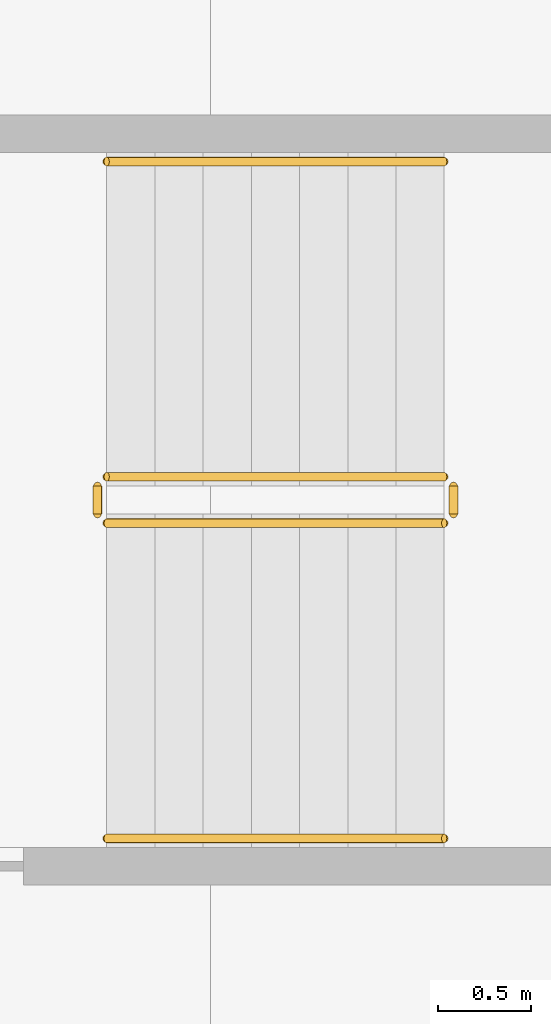
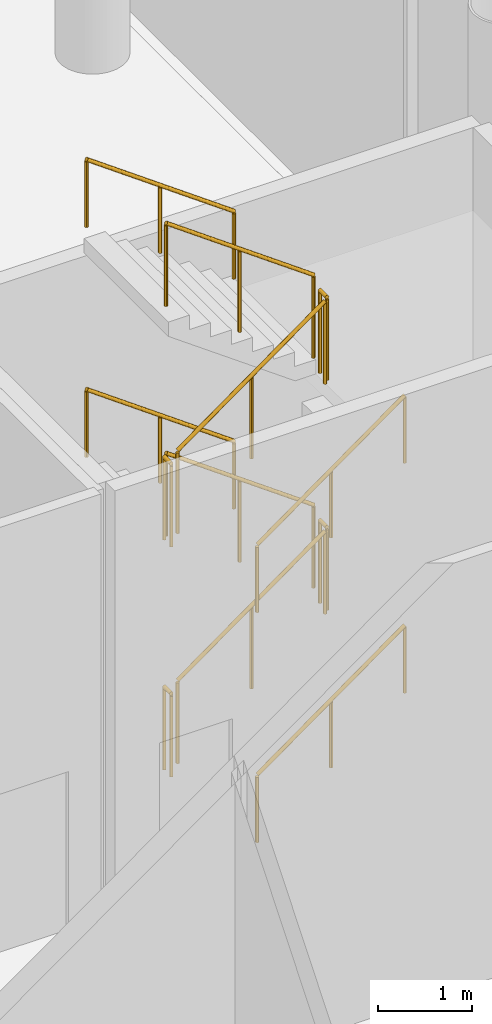
# One storey, part 73 of 75: 12 railings.
"""IFC4 building model written with IfcOpenShell, lengths in metres."""

from ifc_helpers import new_model, si_unit, direction, frame, origin, origin_2d, place, context, subcontext, project, spatial, circle, extrude, material, type_object, element, save


model = new_model("IFC4")

# Units and contexts
model_context = context("Model", 3, precision=1e-05, world=origin(), true_north=direction((0.0, 1.0)))
body_context = subcontext(model_context, "Body", "Model", "MODEL_VIEW")
ifc_project = project(units=[si_unit("LENGTHUNIT", "METRE"), si_unit("AREAUNIT", "SQUARE_METRE"), si_unit("VOLUMEUNIT", "CUBIC_METRE"), si_unit("PLANEANGLEUNIT", "RADIAN"), si_unit("MASSUNIT", "GRAM", prefix="KILO")], contexts=[model_context])

# Site, building, storey
site_placement = place(None, origin())
site = spatial("IfcSite", under=ifc_project, at=site_placement, CompositionType="ELEMENT")
building_placement = place(site_placement, origin())
building = spatial("IfcBuilding", under=site, at=building_placement, Name="Ipe Terrace Towers", CompositionType="ELEMENT")
storey_placement = place(building_placement, origin())
storey = spatial("IfcBuildingStorey", under=building, at=storey_placement, Name="L00", CompositionType="ELEMENT", Elevation=0.0)

# Railings
ifc_material_1 = material(Name="Steel S355", Category="steel")
railing_type_1 = type_object("IfcRailingType", Name="Stair guard 1100", PredefinedType="GUARDRAIL", material=ifc_material_1)
railing_1_placement = place(storey_placement, frame((58.68994140625, 3.35009765625, 0.1875)))
element("IfcRailing", 1, at=railing_1_placement, inside=storey, type_object=railing_type_1, Name="L00 PS8 stair guard 1", PredefinedType="GUARDRAIL", context=body_context, shape_type="SweptSolid", body=[
    extrude(circle(Radius=0.02392578125, at=origin_2d()), frame((0.0, 0.0, 1.076171875), z_axis=(0.811100754333, 0.0, 0.584906459462), x_axis=(0.0, 1.0, 0.0)), (0.0, 0.0, 1.0), 2.243896484375),
    extrude(circle(Radius=0.02099609375, at=origin_2d()), origin(), (0.0, 0.0, 1.0), 1.052001953125),
    extrude(circle(Radius=0.02099609375, at=origin_2d()), frame((0.91015625, 0.0, 0.65625)), (0.0, 0.0, 1.0), 1.052001953125),
    extrude(circle(Radius=0.02099609375, at=origin_2d()), frame((1.820068359375, 0.0, 1.3125)), (0.0, 0.0, 1.0), 1.052001953125),
])
railing_2_placement = place(storey_placement, frame((60.56005859375, 3.39990234375, 1.5)))
element("IfcRailing", 2, at=railing_2_placement, inside=storey, type_object=railing_type_1, Name="L00 PS8 stair guard 2", PredefinedType="GUARDRAIL", context=body_context, shape_type="SweptSolid", body=[
    extrude(circle(Radius=0.02392578125, at=origin_2d()), frame((0.0, 0.0, 1.076171875), z_axis=(0.0, 1.0, 0.0), x_axis=(-1.0, 0.0, 0.0)), (0.0, 0.0, 1.0), 0.150146484375),
    extrude(circle(Radius=0.02099609375, at=origin_2d()), origin(), (0.0, 0.0, 1.0), 1.052001953125),
    extrude(circle(Radius=0.02099609375, at=origin_2d()), frame((0.0, 0.150146484375, 0.0)), (0.0, 0.0, 1.0), 1.052001953125),
])
railing_3_placement = place(storey_placement, frame((60.510009765625, 3.60009765625, 1.6875)))
element("IfcRailing", 3, at=railing_3_placement, inside=storey, type_object=railing_type_1, Name="L00 PS8 stair guard 3", PredefinedType="GUARDRAIL", context=body_context, shape_type="SweptSolid", body=[
    extrude(circle(Radius=0.02392578125, at=origin_2d()), frame((0.0, 0.0, 1.076171875), z_axis=(-0.811100754333, 0.0, 0.584906459462), x_axis=(0.0, -1.0, 0.0)), (0.0, 0.0, 1.0), 2.243896484375),
    extrude(circle(Radius=0.02099609375, at=origin_2d()), origin(), (0.0, 0.0, 1.0), 1.052001953125),
    extrude(circle(Radius=0.02099609375, at=origin_2d()), frame((-0.91015625, 0.0, 0.65625)), (0.0, 0.0, 1.0), 1.052001953125),
    extrude(circle(Radius=0.02099609375, at=origin_2d()), frame((-1.820068359375, 0.0, 1.3125)), (0.0, 0.0, 1.0), 1.052001953125),
])
railing_4_placement = place(storey_placement, frame((58.639892578125, 3.39990234375, 3.0)))
element("IfcRailing", 4, at=railing_4_placement, inside=storey, type_object=railing_type_1, Name="L00 PS8 stair guard 4", PredefinedType="GUARDRAIL", context=body_context, shape_type="SweptSolid", body=[
    extrude(circle(Radius=0.02392578125, at=origin_2d()), frame((0.0, 0.0, 1.076171875), z_axis=(0.0, 1.0, 0.0), x_axis=(-1.0, 0.0, 0.0)), (0.0, 0.0, 1.0), 0.150146484375),
    extrude(circle(Radius=0.02099609375, at=origin_2d()), origin(), (0.0, 0.0, 1.0), 1.052001953125),
    extrude(circle(Radius=0.02099609375, at=origin_2d()), frame((0.0, 0.150146484375, 0.0)), (0.0, 0.0, 1.0), 1.052001953125),
])
railing_5_placement = place(storey_placement, frame((58.68994140625, 3.35009765625, 3.1875)))
element("IfcRailing", 5, at=railing_5_placement, inside=storey, type_object=railing_type_1, Name="L00 PS8 stair guard 5", PredefinedType="GUARDRAIL", context=body_context, shape_type="SweptSolid", body=[
    extrude(circle(Radius=0.02392578125, at=origin_2d()), frame((0.0, 0.0, 1.076171875), z_axis=(0.811100754333, 0.0, 0.584906459462), x_axis=(0.0, 1.0, 0.0)), (0.0, 0.0, 1.0), 2.243896484375),
    extrude(circle(Radius=0.02099609375, at=origin_2d()), origin(), (0.0, 0.0, 1.0), 1.052001953125),
    extrude(circle(Radius=0.02099609375, at=origin_2d()), frame((0.91015625, 0.0, 0.65625)), (0.0, 0.0, 1.0), 1.052001953125),
    extrude(circle(Radius=0.02099609375, at=origin_2d()), frame((1.820068359375, 0.0, 1.3125)), (0.0, 0.0, 1.0), 1.052001953125),
])
railing_6_placement = place(storey_placement, frame((60.56005859375, 3.39990234375, 4.5)))
element("IfcRailing", 6, at=railing_6_placement, inside=storey, type_object=railing_type_1, Name="L00 PS8 stair guard 6", PredefinedType="GUARDRAIL", context=body_context, shape_type="SweptSolid", body=[
    extrude(circle(Radius=0.02392578125, at=origin_2d()), frame((0.0, 0.0, 1.076171875), z_axis=(0.0, 1.0, 0.0), x_axis=(-1.0, 0.0, 0.0)), (0.0, 0.0, 1.0), 0.150146484375),
    extrude(circle(Radius=0.02099609375, at=origin_2d()), origin(), (0.0, 0.0, 1.0), 1.052001953125),
    extrude(circle(Radius=0.02099609375, at=origin_2d()), frame((0.0, 0.150146484375, 0.0)), (0.0, 0.0, 1.0), 1.052001953125),
])
railing_7_placement = place(storey_placement, frame((60.510009765625, 3.60009765625, 4.6875)))
element("IfcRailing", 7, at=railing_7_placement, inside=storey, type_object=railing_type_1, Name="L00 PS8 stair guard 7", PredefinedType="GUARDRAIL", context=body_context, shape_type="SweptSolid", body=[
    extrude(circle(Radius=0.02392578125, at=origin_2d()), frame((0.0, 0.0, 1.076171875), z_axis=(-0.811100754333, 0.0, 0.584906459462), x_axis=(0.0, -1.0, 0.0)), (0.0, 0.0, 1.0), 2.243896484375),
    extrude(circle(Radius=0.02099609375, at=origin_2d()), origin(), (0.0, 0.0, 1.0), 1.052001953125),
    extrude(circle(Radius=0.02099609375, at=origin_2d()), frame((-0.91015625, 0.0, 0.65625)), (0.0, 0.0, 1.0), 1.052001953125),
    extrude(circle(Radius=0.02099609375, at=origin_2d()), frame((-1.820068359375, 0.0, 1.3125)), (0.0, 0.0, 1.0), 1.052001953125),
])
railing_8_placement = place(storey_placement, frame((58.639892578125, 3.39990234375, 0.0)))
element("IfcRailing", 8, at=railing_8_placement, inside=storey, type_object=railing_type_1, Name="L00 PS8 stair guard 8", PredefinedType="GUARDRAIL", context=body_context, shape_type="SweptSolid", body=[
    extrude(circle(Radius=0.02392578125, at=origin_2d()), frame((0.0, 0.0, 1.076171875), z_axis=(0.0, 1.0, 0.0), x_axis=(-1.0, 0.0, 0.0)), (0.0, 0.0, 1.0), 0.150146484375),
    extrude(circle(Radius=0.02099609375, at=origin_2d()), origin(), (0.0, 0.0, 1.0), 1.052001953125),
    extrude(circle(Radius=0.02099609375, at=origin_2d()), frame((0.0, 0.150146484375, 0.0)), (0.0, 0.0, 1.0), 1.052001953125),
])
ifc_material_2 = material(Name="Stainless steel grade 304", Category="steel")
railing_type_2 = type_object("IfcRailingType", Name="Stair handrail 900", PredefinedType="HANDRAIL", material=ifc_material_2)
railing_9_placement = place(storey_placement, frame((58.68994140625, 1.64990234375, 0.1875)))
element("IfcRailing", 9, at=railing_9_placement, inside=storey, type_object=railing_type_2, Name="L00 PS8 stair handrail 1", PredefinedType="HANDRAIL", context=body_context, shape_type="SweptSolid", body=[
    extrude(circle(Radius=0.02392578125, at=origin_2d()), frame((0.0, 0.0, 0.8759765625), z_axis=(0.811100754333, 0.0, 0.584906459462), x_axis=(0.0, 1.0, 0.0)), (0.0, 0.0, 1.0), 2.243896484375),
    extrude(circle(Radius=0.02099609375, at=origin_2d()), origin(), (0.0, 0.0, 1.0), 0.851806640625),
    extrude(circle(Radius=0.02099609375, at=origin_2d()), frame((0.91015625, 0.0, 0.65625)), (0.0, 0.0, 1.0), 0.851806640625),
    extrude(circle(Radius=0.02099609375, at=origin_2d()), frame((1.820068359375, 0.0, 1.3125)), (0.0, 0.0, 1.0), 0.851806640625),
])
railing_10_placement = place(storey_placement, frame((60.510009765625, 5.300048828125, 1.6875)))
element("IfcRailing", 10, at=railing_10_placement, inside=storey, type_object=railing_type_2, Name="L00 PS8 stair handrail 2", PredefinedType="HANDRAIL", context=body_context, shape_type="SweptSolid", body=[
    extrude(circle(Radius=0.02392578125, at=origin_2d()), frame((0.0, 0.0, 0.8759765625), z_axis=(-0.811100754333, 0.0, 0.584906459462), x_axis=(0.0, -1.0, 0.0)), (0.0, 0.0, 1.0), 2.243896484375),
    extrude(circle(Radius=0.02099609375, at=origin_2d()), origin(), (0.0, 0.0, 1.0), 0.851806640625),
    extrude(circle(Radius=0.02099609375, at=origin_2d()), frame((-0.91015625, 0.0, 0.65625)), (0.0, 0.0, 1.0), 0.851806640625),
    extrude(circle(Radius=0.02099609375, at=origin_2d()), frame((-1.820068359375, 0.0, 1.3125)), (0.0, 0.0, 1.0), 0.851806640625),
])
railing_11_placement = place(storey_placement, frame((58.68994140625, 1.64990234375, 3.1875)))
element("IfcRailing", 11, at=railing_11_placement, inside=storey, type_object=railing_type_2, Name="L00 PS8 stair handrail 3", PredefinedType="HANDRAIL", context=body_context, shape_type="SweptSolid", body=[
    extrude(circle(Radius=0.02392578125, at=origin_2d()), frame((0.0, 0.0, 0.8759765625), z_axis=(0.811100754333, 0.0, 0.584906459462), x_axis=(0.0, 1.0, 0.0)), (0.0, 0.0, 1.0), 2.243896484375),
    extrude(circle(Radius=0.02099609375, at=origin_2d()), origin(), (0.0, 0.0, 1.0), 0.851806640625),
    extrude(circle(Radius=0.02099609375, at=origin_2d()), frame((0.91015625, 0.0, 0.65625)), (0.0, 0.0, 1.0), 0.851806640625),
    extrude(circle(Radius=0.02099609375, at=origin_2d()), frame((1.820068359375, 0.0, 1.3125)), (0.0, 0.0, 1.0), 0.851806640625),
])
railing_12_placement = place(storey_placement, frame((60.510009765625, 5.300048828125, 4.6875)))
element("IfcRailing", 12, at=railing_12_placement, inside=storey, type_object=railing_type_2, Name="L00 PS8 stair handrail 4", PredefinedType="HANDRAIL", context=body_context, shape_type="SweptSolid", body=[
    extrude(circle(Radius=0.02392578125, at=origin_2d()), frame((0.0, 0.0, 0.8759765625), z_axis=(-0.811100754333, 0.0, 0.584906459462), x_axis=(0.0, -1.0, 0.0)), (0.0, 0.0, 1.0), 2.243896484375),
    extrude(circle(Radius=0.02099609375, at=origin_2d()), origin(), (0.0, 0.0, 1.0), 0.851806640625),
    extrude(circle(Radius=0.02099609375, at=origin_2d()), frame((-0.91015625, 0.0, 0.65625)), (0.0, 0.0, 1.0), 0.851806640625),
    extrude(circle(Radius=0.02099609375, at=origin_2d()), frame((-1.820068359375, 0.0, 1.3125)), (0.0, 0.0, 1.0), 0.851806640625),
])

save(model, "model.ifc")
